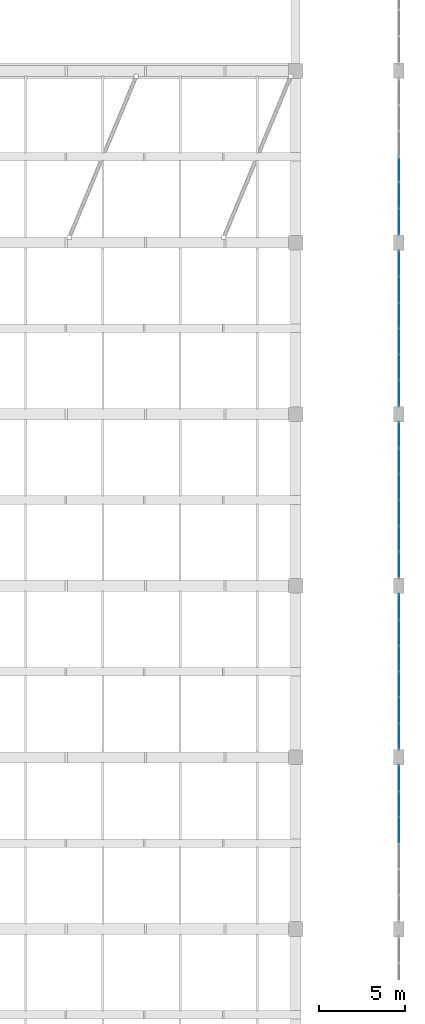
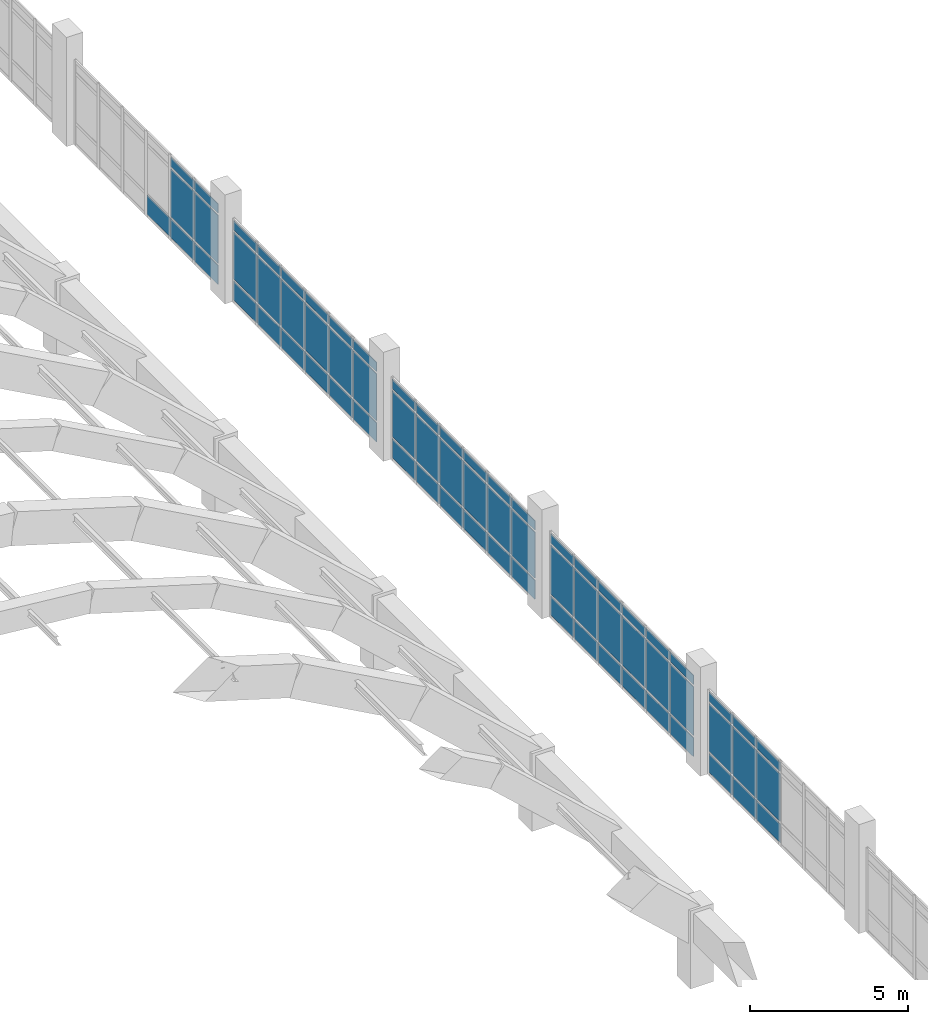
# One storey, part 99 of 111: 70 plates, 5 elements without a shape of their own.
"""IFC4 building model written with IfcOpenShell, lengths in metres."""

from ifc_helpers import new_model, si_unit, direction, frame, origin, origin_2d, place, context, subcontext, project, spatial, rectangle, extrude, material, layer, layer_set, type_object, element, aggregate, save


model = new_model("IFC4")

# Units and contexts
model_context = context("Model", 3, precision=1e-05, world=origin(), true_north=direction((0.0, 1.0)))
body_context = subcontext(model_context, "Body", "Model", "MODEL_VIEW")
ifc_project = project(units=[si_unit("LENGTHUNIT", "METRE"), si_unit("AREAUNIT", "SQUARE_METRE"), si_unit("VOLUMEUNIT", "CUBIC_METRE"), si_unit("PLANEANGLEUNIT", "RADIAN"), si_unit("MASSUNIT", "GRAM", prefix="KILO")], contexts=[model_context])

# Site, building, storey
site_placement = place(None, origin())
site = spatial("IfcSite", under=ifc_project, at=site_placement, CompositionType="ELEMENT")
building_placement = place(site_placement, origin())
building = spatial("IfcBuilding", under=site, at=building_placement, Name="Mersad Railyard Sports Hall", CompositionType="ELEMENT")
storey_placement = place(building_placement, frame((0.0, 0.0, 9.0)))
storey = spatial("IfcBuildingStorey", under=building, at=storey_placement, Name="L02", CompositionType="ELEMENT", Elevation=9.0)

# Curtain wall, plates
ifc_material_1 = material(Name="Aluminium 6063-T6", Category="aluminium")
ifc_layer_1 = layer(ifc_material_1, 0.159912109375)
ifc_layer_set_1 = layer_set([ifc_layer_1], Name="Aluminium 6063-T6")
curtain_wall_type_1 = type_object("IfcCurtainWallType", Name="ARC-CW-CW17", PredefinedType="USERDEFINED", material=ifc_layer_set_1)
curtain_wall_1_placement = place(storey_placement, origin())
curtain_wall_1 = element("IfcCurtainWall", 1, at=curtain_wall_1_placement, inside=storey, type_object=curtain_wall_type_1, Name="Curtain wall CW17-0049", ObjectType="CURTAIN WALL", PredefinedType="USERDEFINED")
ifc_material_2 = material(Name="Solar-control glass", Category="glass")
ifc_layer_2 = layer(ifc_material_2, 0.028076171875)
ifc_layer_set_2 = layer_set([ifc_layer_2], Name="Solar-control glass")
plate_type = type_object("IfcPlateType", Name="ARC-CW-PNL01", PredefinedType="CURTAIN_PANEL", material=ifc_layer_set_2)
plate_1_placement = place(storey_placement, frame((179.0, 32.27490234375, 0.0849609375), z_axis=(0.0, 0.0, 1.0), x_axis=(0.0, -1.0, 0.0)))
plate_1 = element("IfcPlate", 2, at=plate_1_placement, type_object=plate_type, Name="CW17 Glazed panel 1-1", PredefinedType="CURTAIN_PANEL", context=body_context, shape_type="SweptSolid", body=[
    extrude(rectangle(XDim=1.466064453125, YDim=0.028076171875, at=origin_2d()), origin(), (0.0, 0.0, 1.0), 0.719970703125),
])
plate_2_placement = place(storey_placement, frame((179.0, 32.27490234375, 0.89501953125), z_axis=(0.0, 0.0, 1.0), x_axis=(0.0, -1.0, 0.0)))
plate_2 = element("IfcPlate", 3, at=plate_2_placement, type_object=plate_type, Name="CW17 Glazed panel 1-2", PredefinedType="CURTAIN_PANEL", context=body_context, shape_type="SweptSolid", body=[
    extrude(rectangle(XDim=1.466064453125, YDim=0.028076171875, at=origin_2d()), origin(), (0.0, 0.0, 1.0), 1.840087890625),
])
plate_3_placement = place(storey_placement, frame((179.0, 32.27490234375, 2.824951171875), z_axis=(0.0, 0.0, 1.0), x_axis=(0.0, -1.0, 0.0)))
plate_3 = element("IfcPlate", 4, at=plate_3_placement, type_object=plate_type, Name="CW17 Glazed panel 1-3", PredefinedType="CURTAIN_PANEL", context=body_context, shape_type="SweptSolid", body=[
    extrude(rectangle(XDim=1.466064453125, YDim=0.028076171875, at=origin_2d()), origin(), (0.0, 0.0, 1.0), 0.35009765625),
])
plate_4_placement = place(storey_placement, frame((179.0, 30.764892578125, 0.0849609375), z_axis=(0.0, 0.0, 1.0), x_axis=(0.0, -1.0, 0.0)))
plate_4 = element("IfcPlate", 5, at=plate_4_placement, type_object=plate_type, Name="CW17 Glazed panel 2-1", PredefinedType="CURTAIN_PANEL", context=body_context, shape_type="SweptSolid", body=[
    extrude(rectangle(XDim=1.466064453125, YDim=0.028076171875, at=origin_2d()), origin(), (0.0, 0.0, 1.0), 0.719970703125),
])
plate_5_placement = place(storey_placement, frame((179.0, 30.764892578125, 0.89501953125), z_axis=(0.0, 0.0, 1.0), x_axis=(0.0, -1.0, 0.0)))
plate_5 = element("IfcPlate", 6, at=plate_5_placement, type_object=plate_type, Name="CW17 Glazed panel 2-2", PredefinedType="CURTAIN_PANEL", context=body_context, shape_type="SweptSolid", body=[
    extrude(rectangle(XDim=1.466064453125, YDim=0.028076171875, at=origin_2d()), origin(), (0.0, 0.0, 1.0), 1.840087890625),
])
plate_6_placement = place(storey_placement, frame((179.0, 30.764892578125, 2.824951171875), z_axis=(0.0, 0.0, 1.0), x_axis=(0.0, -1.0, 0.0)))
plate_6 = element("IfcPlate", 7, at=plate_6_placement, type_object=plate_type, Name="CW17 Glazed panel 2-3", PredefinedType="CURTAIN_PANEL", context=body_context, shape_type="SweptSolid", body=[
    extrude(rectangle(XDim=1.466064453125, YDim=0.028076171875, at=origin_2d()), origin(), (0.0, 0.0, 1.0), 0.35009765625),
])
plate_7_placement = place(storey_placement, frame((179.0, 29.2548828125, 0.0849609375), z_axis=(0.0, 0.0, 1.0), x_axis=(0.0, -1.0, 0.0)))
plate_7 = element("IfcPlate", 8, at=plate_7_placement, type_object=plate_type, Name="CW17 Glazed panel 3-1", PredefinedType="CURTAIN_PANEL", context=body_context, shape_type="SweptSolid", body=[
    extrude(rectangle(XDim=1.466064453125, YDim=0.028076171875, at=origin_2d()), origin(), (0.0, 0.0, 1.0), 0.719970703125),
])
plate_8_placement = place(storey_placement, frame((179.0, 29.2548828125, 0.89501953125), z_axis=(0.0, 0.0, 1.0), x_axis=(0.0, -1.0, 0.0)))
plate_8 = element("IfcPlate", 9, at=plate_8_placement, type_object=plate_type, Name="CW17 Glazed panel 3-2", PredefinedType="CURTAIN_PANEL", context=body_context, shape_type="SweptSolid", body=[
    extrude(rectangle(XDim=1.466064453125, YDim=0.028076171875, at=origin_2d()), origin(), (0.0, 0.0, 1.0), 1.840087890625),
])
plate_9_placement = place(storey_placement, frame((179.0, 29.2548828125, 2.824951171875), z_axis=(0.0, 0.0, 1.0), x_axis=(0.0, -1.0, 0.0)))
plate_9 = element("IfcPlate", 10, at=plate_9_placement, type_object=plate_type, Name="CW17 Glazed panel 3-3", PredefinedType="CURTAIN_PANEL", context=body_context, shape_type="SweptSolid", body=[
    extrude(rectangle(XDim=1.466064453125, YDim=0.028076171875, at=origin_2d()), origin(), (0.0, 0.0, 1.0), 0.35009765625),
])
aggregate(curtain_wall_1, [plate_1, plate_2, plate_3, plate_4, plate_5, plate_6, plate_7, plate_8, plate_9])

ifc_layer_3 = layer(ifc_material_1, 0.159912109375)
ifc_layer_set_3 = layer_set([ifc_layer_3], Name="Aluminium 6063-T6")
curtain_wall_type_2 = type_object("IfcCurtainWallType", Name="ARC-CW-CW18", PredefinedType="USERDEFINED", material=ifc_layer_set_3)
curtain_wall_2_placement = place(storey_placement, origin())
curtain_wall_2 = element("IfcCurtainWall", 11, at=curtain_wall_2_placement, inside=storey, type_object=curtain_wall_type_2, Name="Curtain wall CW18-0051", ObjectType="CURTAIN WALL", PredefinedType="USERDEFINED")
plate_10_placement = place(storey_placement, frame((179.0, 42.27490234375, 0.0849609375), z_axis=(0.0, 0.0, 1.0), x_axis=(0.0, -1.0, 0.0)))
plate_10 = element("IfcPlate", 12, at=plate_10_placement, type_object=plate_type, Name="CW18 Glazed panel 1-1", PredefinedType="CURTAIN_PANEL", context=body_context, shape_type="SweptSolid", body=[
    extrude(rectangle(XDim=1.466064453125, YDim=0.028076171875, at=origin_2d()), origin(), (0.0, 0.0, 1.0), 0.719970703125),
])
plate_11_placement = place(storey_placement, frame((179.0, 42.27490234375, 0.89501953125), z_axis=(0.0, 0.0, 1.0), x_axis=(0.0, -1.0, 0.0)))
plate_11 = element("IfcPlate", 13, at=plate_11_placement, type_object=plate_type, Name="CW18 Glazed panel 1-2", PredefinedType="CURTAIN_PANEL", context=body_context, shape_type="SweptSolid", body=[
    extrude(rectangle(XDim=1.466064453125, YDim=0.028076171875, at=origin_2d()), origin(), (0.0, 0.0, 1.0), 1.8798828125),
])
plate_12_placement = place(storey_placement, frame((179.0, 42.27490234375, 2.864990234375), z_axis=(0.0, 0.0, 1.0), x_axis=(0.0, -1.0, 0.0)))
plate_12 = element("IfcPlate", 14, at=plate_12_placement, type_object=plate_type, Name="CW18 Glazed panel 1-3", PredefinedType="CURTAIN_PANEL", context=body_context, shape_type="SweptSolid", body=[
    extrude(rectangle(XDim=1.466064453125, YDim=0.028076171875, at=origin_2d()), origin(), (0.0, 0.0, 1.0), 0.35009765625),
])
plate_13_placement = place(storey_placement, frame((179.0, 40.764892578125, 0.0849609375), z_axis=(0.0, 0.0, 1.0), x_axis=(0.0, -1.0, 0.0)))
plate_13 = element("IfcPlate", 15, at=plate_13_placement, type_object=plate_type, Name="CW18 Glazed panel 2-1", PredefinedType="CURTAIN_PANEL", context=body_context, shape_type="SweptSolid", body=[
    extrude(rectangle(XDim=1.466064453125, YDim=0.028076171875, at=origin_2d()), origin(), (0.0, 0.0, 1.0), 0.719970703125),
])
plate_14_placement = place(storey_placement, frame((179.0, 40.764892578125, 0.89501953125), z_axis=(0.0, 0.0, 1.0), x_axis=(0.0, -1.0, 0.0)))
plate_14 = element("IfcPlate", 16, at=plate_14_placement, type_object=plate_type, Name="CW18 Glazed panel 2-2", PredefinedType="CURTAIN_PANEL", context=body_context, shape_type="SweptSolid", body=[
    extrude(rectangle(XDim=1.466064453125, YDim=0.028076171875, at=origin_2d()), origin(), (0.0, 0.0, 1.0), 1.8798828125),
])
plate_15_placement = place(storey_placement, frame((179.0, 40.764892578125, 2.864990234375), z_axis=(0.0, 0.0, 1.0), x_axis=(0.0, -1.0, 0.0)))
plate_15 = element("IfcPlate", 17, at=plate_15_placement, type_object=plate_type, Name="CW18 Glazed panel 2-3", PredefinedType="CURTAIN_PANEL", context=body_context, shape_type="SweptSolid", body=[
    extrude(rectangle(XDim=1.466064453125, YDim=0.028076171875, at=origin_2d()), origin(), (0.0, 0.0, 1.0), 0.35009765625),
])
plate_16_placement = place(storey_placement, frame((179.0, 39.2548828125, 0.0849609375), z_axis=(0.0, 0.0, 1.0), x_axis=(0.0, -1.0, 0.0)))
plate_16 = element("IfcPlate", 18, at=plate_16_placement, type_object=plate_type, Name="CW18 Glazed panel 3-1", PredefinedType="CURTAIN_PANEL", context=body_context, shape_type="SweptSolid", body=[
    extrude(rectangle(XDim=1.466064453125, YDim=0.028076171875, at=origin_2d()), origin(), (0.0, 0.0, 1.0), 0.719970703125),
])
plate_17_placement = place(storey_placement, frame((179.0, 39.2548828125, 0.89501953125), z_axis=(0.0, 0.0, 1.0), x_axis=(0.0, -1.0, 0.0)))
plate_17 = element("IfcPlate", 19, at=plate_17_placement, type_object=plate_type, Name="CW18 Glazed panel 3-2", PredefinedType="CURTAIN_PANEL", context=body_context, shape_type="SweptSolid", body=[
    extrude(rectangle(XDim=1.466064453125, YDim=0.028076171875, at=origin_2d()), origin(), (0.0, 0.0, 1.0), 1.8798828125),
])
plate_18_placement = place(storey_placement, frame((179.0, 39.2548828125, 2.864990234375), z_axis=(0.0, 0.0, 1.0), x_axis=(0.0, -1.0, 0.0)))
plate_18 = element("IfcPlate", 20, at=plate_18_placement, type_object=plate_type, Name="CW18 Glazed panel 3-3", PredefinedType="CURTAIN_PANEL", context=body_context, shape_type="SweptSolid", body=[
    extrude(rectangle(XDim=1.466064453125, YDim=0.028076171875, at=origin_2d()), origin(), (0.0, 0.0, 1.0), 0.35009765625),
])
plate_19_placement = place(storey_placement, frame((179.0, 37.7451171875, 0.0849609375), z_axis=(0.0, 0.0, 1.0), x_axis=(0.0, -1.0, 0.0)))
plate_19 = element("IfcPlate", 21, at=plate_19_placement, type_object=plate_type, Name="CW18 Glazed panel 4-1", PredefinedType="CURTAIN_PANEL", context=body_context, shape_type="SweptSolid", body=[
    extrude(rectangle(XDim=1.466064453125, YDim=0.028076171875, at=origin_2d()), origin(), (0.0, 0.0, 1.0), 0.719970703125),
])
plate_20_placement = place(storey_placement, frame((179.0, 37.7451171875, 0.89501953125), z_axis=(0.0, 0.0, 1.0), x_axis=(0.0, -1.0, 0.0)))
plate_20 = element("IfcPlate", 22, at=plate_20_placement, type_object=plate_type, Name="CW18 Glazed panel 4-2", PredefinedType="CURTAIN_PANEL", context=body_context, shape_type="SweptSolid", body=[
    extrude(rectangle(XDim=1.466064453125, YDim=0.028076171875, at=origin_2d()), origin(), (0.0, 0.0, 1.0), 1.8798828125),
])
plate_21_placement = place(storey_placement, frame((179.0, 37.7451171875, 2.864990234375), z_axis=(0.0, 0.0, 1.0), x_axis=(0.0, -1.0, 0.0)))
plate_21 = element("IfcPlate", 23, at=plate_21_placement, type_object=plate_type, Name="CW18 Glazed panel 4-3", PredefinedType="CURTAIN_PANEL", context=body_context, shape_type="SweptSolid", body=[
    extrude(rectangle(XDim=1.466064453125, YDim=0.028076171875, at=origin_2d()), origin(), (0.0, 0.0, 1.0), 0.35009765625),
])
plate_22_placement = place(storey_placement, frame((179.0, 36.235107421875, 0.0849609375), z_axis=(0.0, 0.0, 1.0), x_axis=(0.0, -1.0, 0.0)))
plate_22 = element("IfcPlate", 24, at=plate_22_placement, type_object=plate_type, Name="CW18 Glazed panel 5-1", PredefinedType="CURTAIN_PANEL", context=body_context, shape_type="SweptSolid", body=[
    extrude(rectangle(XDim=1.466064453125, YDim=0.028076171875, at=origin_2d()), origin(), (0.0, 0.0, 1.0), 0.719970703125),
])
plate_23_placement = place(storey_placement, frame((179.0, 36.235107421875, 0.89501953125), z_axis=(0.0, 0.0, 1.0), x_axis=(0.0, -1.0, 0.0)))
plate_23 = element("IfcPlate", 25, at=plate_23_placement, type_object=plate_type, Name="CW18 Glazed panel 5-2", PredefinedType="CURTAIN_PANEL", context=body_context, shape_type="SweptSolid", body=[
    extrude(rectangle(XDim=1.466064453125, YDim=0.028076171875, at=origin_2d()), origin(), (0.0, 0.0, 1.0), 1.8798828125),
])
plate_24_placement = place(storey_placement, frame((179.0, 36.235107421875, 2.864990234375), z_axis=(0.0, 0.0, 1.0), x_axis=(0.0, -1.0, 0.0)))
plate_24 = element("IfcPlate", 26, at=plate_24_placement, type_object=plate_type, Name="CW18 Glazed panel 5-3", PredefinedType="CURTAIN_PANEL", context=body_context, shape_type="SweptSolid", body=[
    extrude(rectangle(XDim=1.466064453125, YDim=0.028076171875, at=origin_2d()), origin(), (0.0, 0.0, 1.0), 0.35009765625),
])
plate_25_placement = place(storey_placement, frame((179.0, 34.72509765625, 0.0849609375), z_axis=(0.0, 0.0, 1.0), x_axis=(0.0, -1.0, 0.0)))
plate_25 = element("IfcPlate", 27, at=plate_25_placement, type_object=plate_type, Name="CW18 Glazed panel 6-1", PredefinedType="CURTAIN_PANEL", context=body_context, shape_type="SweptSolid", body=[
    extrude(rectangle(XDim=1.466064453125, YDim=0.028076171875, at=origin_2d()), origin(), (0.0, 0.0, 1.0), 0.719970703125),
])
plate_26_placement = place(storey_placement, frame((179.0, 34.72509765625, 0.89501953125), z_axis=(0.0, 0.0, 1.0), x_axis=(0.0, -1.0, 0.0)))
plate_26 = element("IfcPlate", 28, at=plate_26_placement, type_object=plate_type, Name="CW18 Glazed panel 6-2", PredefinedType="CURTAIN_PANEL", context=body_context, shape_type="SweptSolid", body=[
    extrude(rectangle(XDim=1.466064453125, YDim=0.028076171875, at=origin_2d()), origin(), (0.0, 0.0, 1.0), 1.8798828125),
])
plate_27_placement = place(storey_placement, frame((179.0, 34.72509765625, 2.864990234375), z_axis=(0.0, 0.0, 1.0), x_axis=(0.0, -1.0, 0.0)))
plate_27 = element("IfcPlate", 29, at=plate_27_placement, type_object=plate_type, Name="CW18 Glazed panel 6-3", PredefinedType="CURTAIN_PANEL", context=body_context, shape_type="SweptSolid", body=[
    extrude(rectangle(XDim=1.466064453125, YDim=0.028076171875, at=origin_2d()), origin(), (0.0, 0.0, 1.0), 0.35009765625),
])
aggregate(curtain_wall_2, [plate_10, plate_11, plate_12, plate_13, plate_14, plate_15, plate_16, plate_17, plate_18, plate_19, plate_20, plate_21, plate_22, plate_23, plate_24, plate_25, plate_26, plate_27])

ifc_layer_4 = layer(ifc_material_1, 0.159912109375)
ifc_layer_set_4 = layer_set([ifc_layer_4], Name="Aluminium 6063-T6")
curtain_wall_type_3 = type_object("IfcCurtainWallType", Name="ARC-CW-CW15", PredefinedType="USERDEFINED", material=ifc_layer_set_4)
curtain_wall_3_placement = place(storey_placement, origin())
curtain_wall_3 = element("IfcCurtainWall", 30, at=curtain_wall_3_placement, inside=storey, type_object=curtain_wall_type_3, Name="Curtain wall CW15-0053", ObjectType="CURTAIN WALL", PredefinedType="USERDEFINED")
plate_28_placement = place(storey_placement, frame((179.0, 52.27490234375, 0.0849609375), z_axis=(0.0, 0.0, 1.0), x_axis=(0.0, -1.0, 0.0)))
plate_28 = element("IfcPlate", 31, at=plate_28_placement, type_object=plate_type, Name="CW15 Glazed panel 1-1", PredefinedType="CURTAIN_PANEL", context=body_context, shape_type="SweptSolid", body=[
    extrude(rectangle(XDim=1.466064453125, YDim=0.028076171875, at=origin_2d()), origin(), (0.0, 0.0, 1.0), 0.719970703125),
])
plate_29_placement = place(storey_placement, frame((179.0, 52.27490234375, 0.89501953125), z_axis=(0.0, 0.0, 1.0), x_axis=(0.0, -1.0, 0.0)))
plate_29 = element("IfcPlate", 32, at=plate_29_placement, type_object=plate_type, Name="CW15 Glazed panel 1-2", PredefinedType="CURTAIN_PANEL", context=body_context, shape_type="SweptSolid", body=[
    extrude(rectangle(XDim=1.466064453125, YDim=0.028076171875, at=origin_2d()), origin(), (0.0, 0.0, 1.0), 1.760009765625),
])
plate_30_placement = place(storey_placement, frame((179.0, 52.27490234375, 2.744873046875), z_axis=(0.0, 0.0, 1.0), x_axis=(0.0, -1.0, 0.0)))
plate_30 = element("IfcPlate", 33, at=plate_30_placement, type_object=plate_type, Name="CW15 Glazed panel 1-3", PredefinedType="CURTAIN_PANEL", context=body_context, shape_type="SweptSolid", body=[
    extrude(rectangle(XDim=1.466064453125, YDim=0.028076171875, at=origin_2d()), origin(), (0.0, 0.0, 1.0), 0.35009765625),
])
plate_31_placement = place(storey_placement, frame((179.0, 50.764892578125, 0.0849609375), z_axis=(0.0, 0.0, 1.0), x_axis=(0.0, -1.0, 0.0)))
plate_31 = element("IfcPlate", 34, at=plate_31_placement, type_object=plate_type, Name="CW15 Glazed panel 2-1", PredefinedType="CURTAIN_PANEL", context=body_context, shape_type="SweptSolid", body=[
    extrude(rectangle(XDim=1.466064453125, YDim=0.028076171875, at=origin_2d()), origin(), (0.0, 0.0, 1.0), 0.719970703125),
])
plate_32_placement = place(storey_placement, frame((179.0, 50.764892578125, 0.89501953125), z_axis=(0.0, 0.0, 1.0), x_axis=(0.0, -1.0, 0.0)))
plate_32 = element("IfcPlate", 35, at=plate_32_placement, type_object=plate_type, Name="CW15 Glazed panel 2-2", PredefinedType="CURTAIN_PANEL", context=body_context, shape_type="SweptSolid", body=[
    extrude(rectangle(XDim=1.466064453125, YDim=0.028076171875, at=origin_2d()), origin(), (0.0, 0.0, 1.0), 1.760009765625),
])
plate_33_placement = place(storey_placement, frame((179.0, 50.764892578125, 2.744873046875), z_axis=(0.0, 0.0, 1.0), x_axis=(0.0, -1.0, 0.0)))
plate_33 = element("IfcPlate", 36, at=plate_33_placement, type_object=plate_type, Name="CW15 Glazed panel 2-3", PredefinedType="CURTAIN_PANEL", context=body_context, shape_type="SweptSolid", body=[
    extrude(rectangle(XDim=1.466064453125, YDim=0.028076171875, at=origin_2d()), origin(), (0.0, 0.0, 1.0), 0.35009765625),
])
plate_34_placement = place(storey_placement, frame((179.0, 49.2548828125, 0.0849609375), z_axis=(0.0, 0.0, 1.0), x_axis=(0.0, -1.0, 0.0)))
plate_34 = element("IfcPlate", 37, at=plate_34_placement, type_object=plate_type, Name="CW15 Glazed panel 3-1", PredefinedType="CURTAIN_PANEL", context=body_context, shape_type="SweptSolid", body=[
    extrude(rectangle(XDim=1.466064453125, YDim=0.028076171875, at=origin_2d()), origin(), (0.0, 0.0, 1.0), 0.719970703125),
])
plate_35_placement = place(storey_placement, frame((179.0, 49.2548828125, 0.89501953125), z_axis=(0.0, 0.0, 1.0), x_axis=(0.0, -1.0, 0.0)))
plate_35 = element("IfcPlate", 38, at=plate_35_placement, type_object=plate_type, Name="CW15 Glazed panel 3-2", PredefinedType="CURTAIN_PANEL", context=body_context, shape_type="SweptSolid", body=[
    extrude(rectangle(XDim=1.466064453125, YDim=0.028076171875, at=origin_2d()), origin(), (0.0, 0.0, 1.0), 1.760009765625),
])
plate_36_placement = place(storey_placement, frame((179.0, 49.2548828125, 2.744873046875), z_axis=(0.0, 0.0, 1.0), x_axis=(0.0, -1.0, 0.0)))
plate_36 = element("IfcPlate", 39, at=plate_36_placement, type_object=plate_type, Name="CW15 Glazed panel 3-3", PredefinedType="CURTAIN_PANEL", context=body_context, shape_type="SweptSolid", body=[
    extrude(rectangle(XDim=1.466064453125, YDim=0.028076171875, at=origin_2d()), origin(), (0.0, 0.0, 1.0), 0.35009765625),
])
plate_37_placement = place(storey_placement, frame((179.0, 47.7451171875, 0.0849609375), z_axis=(0.0, 0.0, 1.0), x_axis=(0.0, -1.0, 0.0)))
plate_37 = element("IfcPlate", 40, at=plate_37_placement, type_object=plate_type, Name="CW15 Glazed panel 4-1", PredefinedType="CURTAIN_PANEL", context=body_context, shape_type="SweptSolid", body=[
    extrude(rectangle(XDim=1.466064453125, YDim=0.028076171875, at=origin_2d()), origin(), (0.0, 0.0, 1.0), 0.719970703125),
])
plate_38_placement = place(storey_placement, frame((179.0, 47.7451171875, 0.89501953125), z_axis=(0.0, 0.0, 1.0), x_axis=(0.0, -1.0, 0.0)))
plate_38 = element("IfcPlate", 41, at=plate_38_placement, type_object=plate_type, Name="CW15 Glazed panel 4-2", PredefinedType="CURTAIN_PANEL", context=body_context, shape_type="SweptSolid", body=[
    extrude(rectangle(XDim=1.466064453125, YDim=0.028076171875, at=origin_2d()), origin(), (0.0, 0.0, 1.0), 1.760009765625),
])
plate_39_placement = place(storey_placement, frame((179.0, 47.7451171875, 2.744873046875), z_axis=(0.0, 0.0, 1.0), x_axis=(0.0, -1.0, 0.0)))
plate_39 = element("IfcPlate", 42, at=plate_39_placement, type_object=plate_type, Name="CW15 Glazed panel 4-3", PredefinedType="CURTAIN_PANEL", context=body_context, shape_type="SweptSolid", body=[
    extrude(rectangle(XDim=1.466064453125, YDim=0.028076171875, at=origin_2d()), origin(), (0.0, 0.0, 1.0), 0.35009765625),
])
plate_40_placement = place(storey_placement, frame((179.0, 46.235107421875, 0.0849609375), z_axis=(0.0, 0.0, 1.0), x_axis=(0.0, -1.0, 0.0)))
plate_40 = element("IfcPlate", 43, at=plate_40_placement, type_object=plate_type, Name="CW15 Glazed panel 5-1", PredefinedType="CURTAIN_PANEL", context=body_context, shape_type="SweptSolid", body=[
    extrude(rectangle(XDim=1.466064453125, YDim=0.028076171875, at=origin_2d()), origin(), (0.0, 0.0, 1.0), 0.719970703125),
])
plate_41_placement = place(storey_placement, frame((179.0, 46.235107421875, 0.89501953125), z_axis=(0.0, 0.0, 1.0), x_axis=(0.0, -1.0, 0.0)))
plate_41 = element("IfcPlate", 44, at=plate_41_placement, type_object=plate_type, Name="CW15 Glazed panel 5-2", PredefinedType="CURTAIN_PANEL", context=body_context, shape_type="SweptSolid", body=[
    extrude(rectangle(XDim=1.466064453125, YDim=0.028076171875, at=origin_2d()), origin(), (0.0, 0.0, 1.0), 1.760009765625),
])
plate_42_placement = place(storey_placement, frame((179.0, 46.235107421875, 2.744873046875), z_axis=(0.0, 0.0, 1.0), x_axis=(0.0, -1.0, 0.0)))
plate_42 = element("IfcPlate", 45, at=plate_42_placement, type_object=plate_type, Name="CW15 Glazed panel 5-3", PredefinedType="CURTAIN_PANEL", context=body_context, shape_type="SweptSolid", body=[
    extrude(rectangle(XDim=1.466064453125, YDim=0.028076171875, at=origin_2d()), origin(), (0.0, 0.0, 1.0), 0.35009765625),
])
plate_43_placement = place(storey_placement, frame((179.0, 44.72509765625, 0.0849609375), z_axis=(0.0, 0.0, 1.0), x_axis=(0.0, -1.0, 0.0)))
plate_43 = element("IfcPlate", 46, at=plate_43_placement, type_object=plate_type, Name="CW15 Glazed panel 6-1", PredefinedType="CURTAIN_PANEL", context=body_context, shape_type="SweptSolid", body=[
    extrude(rectangle(XDim=1.466064453125, YDim=0.028076171875, at=origin_2d()), origin(), (0.0, 0.0, 1.0), 0.719970703125),
])
plate_44_placement = place(storey_placement, frame((179.0, 44.72509765625, 0.89501953125), z_axis=(0.0, 0.0, 1.0), x_axis=(0.0, -1.0, 0.0)))
plate_44 = element("IfcPlate", 47, at=plate_44_placement, type_object=plate_type, Name="CW15 Glazed panel 6-2", PredefinedType="CURTAIN_PANEL", context=body_context, shape_type="SweptSolid", body=[
    extrude(rectangle(XDim=1.466064453125, YDim=0.028076171875, at=origin_2d()), origin(), (0.0, 0.0, 1.0), 1.760009765625),
])
plate_45_placement = place(storey_placement, frame((179.0, 44.72509765625, 2.744873046875), z_axis=(0.0, 0.0, 1.0), x_axis=(0.0, -1.0, 0.0)))
plate_45 = element("IfcPlate", 48, at=plate_45_placement, type_object=plate_type, Name="CW15 Glazed panel 6-3", PredefinedType="CURTAIN_PANEL", context=body_context, shape_type="SweptSolid", body=[
    extrude(rectangle(XDim=1.466064453125, YDim=0.028076171875, at=origin_2d()), origin(), (0.0, 0.0, 1.0), 0.35009765625),
])
aggregate(curtain_wall_3, [plate_28, plate_29, plate_30, plate_31, plate_32, plate_33, plate_34, plate_35, plate_36, plate_37, plate_38, plate_39, plate_40, plate_41, plate_42, plate_43, plate_44, plate_45])

ifc_layer_5 = layer(ifc_material_1, 0.159912109375)
ifc_layer_set_5 = layer_set([ifc_layer_5], Name="Aluminium 6063-T6")
curtain_wall_type_4 = type_object("IfcCurtainWallType", Name="ARC-CW-CW16", PredefinedType="USERDEFINED", material=ifc_layer_set_5)
curtain_wall_4_placement = place(storey_placement, origin())
curtain_wall_4 = element("IfcCurtainWall", 49, at=curtain_wall_4_placement, inside=storey, type_object=curtain_wall_type_4, Name="Curtain wall CW16-0055", ObjectType="CURTAIN WALL", PredefinedType="USERDEFINED")
plate_46_placement = place(storey_placement, frame((179.0, 62.27490234375, 0.0849609375), z_axis=(0.0, 0.0, 1.0), x_axis=(0.0, -1.0, 0.0)))
plate_46 = element("IfcPlate", 50, at=plate_46_placement, type_object=plate_type, Name="CW16 Glazed panel 1-1", PredefinedType="CURTAIN_PANEL", context=body_context, shape_type="SweptSolid", body=[
    extrude(rectangle(XDim=1.466064453125, YDim=0.028076171875, at=origin_2d()), origin(), (0.0, 0.0, 1.0), 0.719970703125),
])
plate_47_placement = place(storey_placement, frame((179.0, 62.27490234375, 0.89501953125), z_axis=(0.0, 0.0, 1.0), x_axis=(0.0, -1.0, 0.0)))
plate_47 = element("IfcPlate", 51, at=plate_47_placement, type_object=plate_type, Name="CW16 Glazed panel 1-2", PredefinedType="CURTAIN_PANEL", context=body_context, shape_type="SweptSolid", body=[
    extrude(rectangle(XDim=1.466064453125, YDim=0.028076171875, at=origin_2d()), origin(), (0.0, 0.0, 1.0), 1.800048828125),
])
plate_48_placement = place(storey_placement, frame((179.0, 62.27490234375, 2.784912109375), z_axis=(0.0, 0.0, 1.0), x_axis=(0.0, -1.0, 0.0)))
plate_48 = element("IfcPlate", 52, at=plate_48_placement, type_object=plate_type, Name="CW16 Glazed panel 1-3", PredefinedType="CURTAIN_PANEL", context=body_context, shape_type="SweptSolid", body=[
    extrude(rectangle(XDim=1.466064453125, YDim=0.028076171875, at=origin_2d()), origin(), (0.0, 0.0, 1.0), 0.35009765625),
])
plate_49_placement = place(storey_placement, frame((179.0, 60.764892578125, 0.0849609375), z_axis=(0.0, 0.0, 1.0), x_axis=(0.0, -1.0, 0.0)))
plate_49 = element("IfcPlate", 53, at=plate_49_placement, type_object=plate_type, Name="CW16 Glazed panel 2-1", PredefinedType="CURTAIN_PANEL", context=body_context, shape_type="SweptSolid", body=[
    extrude(rectangle(XDim=1.466064453125, YDim=0.028076171875, at=origin_2d()), origin(), (0.0, 0.0, 1.0), 0.719970703125),
])
plate_50_placement = place(storey_placement, frame((179.0, 60.764892578125, 0.89501953125), z_axis=(0.0, 0.0, 1.0), x_axis=(0.0, -1.0, 0.0)))
plate_50 = element("IfcPlate", 54, at=plate_50_placement, type_object=plate_type, Name="CW16 Glazed panel 2-2", PredefinedType="CURTAIN_PANEL", context=body_context, shape_type="SweptSolid", body=[
    extrude(rectangle(XDim=1.466064453125, YDim=0.028076171875, at=origin_2d()), origin(), (0.0, 0.0, 1.0), 1.800048828125),
])
plate_51_placement = place(storey_placement, frame((179.0, 60.764892578125, 2.784912109375), z_axis=(0.0, 0.0, 1.0), x_axis=(0.0, -1.0, 0.0)))
plate_51 = element("IfcPlate", 55, at=plate_51_placement, type_object=plate_type, Name="CW16 Glazed panel 2-3", PredefinedType="CURTAIN_PANEL", context=body_context, shape_type="SweptSolid", body=[
    extrude(rectangle(XDim=1.466064453125, YDim=0.028076171875, at=origin_2d()), origin(), (0.0, 0.0, 1.0), 0.35009765625),
])
plate_52_placement = place(storey_placement, frame((179.0, 59.2548828125, 0.0849609375), z_axis=(0.0, 0.0, 1.0), x_axis=(0.0, -1.0, 0.0)))
plate_52 = element("IfcPlate", 56, at=plate_52_placement, type_object=plate_type, Name="CW16 Glazed panel 3-1", PredefinedType="CURTAIN_PANEL", context=body_context, shape_type="SweptSolid", body=[
    extrude(rectangle(XDim=1.466064453125, YDim=0.028076171875, at=origin_2d()), origin(), (0.0, 0.0, 1.0), 0.719970703125),
])
plate_53_placement = place(storey_placement, frame((179.0, 59.2548828125, 0.89501953125), z_axis=(0.0, 0.0, 1.0), x_axis=(0.0, -1.0, 0.0)))
plate_53 = element("IfcPlate", 57, at=plate_53_placement, type_object=plate_type, Name="CW16 Glazed panel 3-2", PredefinedType="CURTAIN_PANEL", context=body_context, shape_type="SweptSolid", body=[
    extrude(rectangle(XDim=1.466064453125, YDim=0.028076171875, at=origin_2d()), origin(), (0.0, 0.0, 1.0), 1.800048828125),
])
plate_54_placement = place(storey_placement, frame((179.0, 59.2548828125, 2.784912109375), z_axis=(0.0, 0.0, 1.0), x_axis=(0.0, -1.0, 0.0)))
plate_54 = element("IfcPlate", 58, at=plate_54_placement, type_object=plate_type, Name="CW16 Glazed panel 3-3", PredefinedType="CURTAIN_PANEL", context=body_context, shape_type="SweptSolid", body=[
    extrude(rectangle(XDim=1.466064453125, YDim=0.028076171875, at=origin_2d()), origin(), (0.0, 0.0, 1.0), 0.35009765625),
])
plate_55_placement = place(storey_placement, frame((179.0, 57.7451171875, 0.0849609375), z_axis=(0.0, 0.0, 1.0), x_axis=(0.0, -1.0, 0.0)))
plate_55 = element("IfcPlate", 59, at=plate_55_placement, type_object=plate_type, Name="CW16 Glazed panel 4-1", PredefinedType="CURTAIN_PANEL", context=body_context, shape_type="SweptSolid", body=[
    extrude(rectangle(XDim=1.466064453125, YDim=0.028076171875, at=origin_2d()), origin(), (0.0, 0.0, 1.0), 0.719970703125),
])
plate_56_placement = place(storey_placement, frame((179.0, 57.7451171875, 0.89501953125), z_axis=(0.0, 0.0, 1.0), x_axis=(0.0, -1.0, 0.0)))
plate_56 = element("IfcPlate", 60, at=plate_56_placement, type_object=plate_type, Name="CW16 Glazed panel 4-2", PredefinedType="CURTAIN_PANEL", context=body_context, shape_type="SweptSolid", body=[
    extrude(rectangle(XDim=1.466064453125, YDim=0.028076171875, at=origin_2d()), origin(), (0.0, 0.0, 1.0), 1.800048828125),
])
plate_57_placement = place(storey_placement, frame((179.0, 57.7451171875, 2.784912109375), z_axis=(0.0, 0.0, 1.0), x_axis=(0.0, -1.0, 0.0)))
plate_57 = element("IfcPlate", 61, at=plate_57_placement, type_object=plate_type, Name="CW16 Glazed panel 4-3", PredefinedType="CURTAIN_PANEL", context=body_context, shape_type="SweptSolid", body=[
    extrude(rectangle(XDim=1.466064453125, YDim=0.028076171875, at=origin_2d()), origin(), (0.0, 0.0, 1.0), 0.35009765625),
])
plate_58_placement = place(storey_placement, frame((179.0, 56.235107421875, 0.0849609375), z_axis=(0.0, 0.0, 1.0), x_axis=(0.0, -1.0, 0.0)))
plate_58 = element("IfcPlate", 62, at=plate_58_placement, type_object=plate_type, Name="CW16 Glazed panel 5-1", PredefinedType="CURTAIN_PANEL", context=body_context, shape_type="SweptSolid", body=[
    extrude(rectangle(XDim=1.466064453125, YDim=0.028076171875, at=origin_2d()), origin(), (0.0, 0.0, 1.0), 0.719970703125),
])
plate_59_placement = place(storey_placement, frame((179.0, 56.235107421875, 0.89501953125), z_axis=(0.0, 0.0, 1.0), x_axis=(0.0, -1.0, 0.0)))
plate_59 = element("IfcPlate", 63, at=plate_59_placement, type_object=plate_type, Name="CW16 Glazed panel 5-2", PredefinedType="CURTAIN_PANEL", context=body_context, shape_type="SweptSolid", body=[
    extrude(rectangle(XDim=1.466064453125, YDim=0.028076171875, at=origin_2d()), origin(), (0.0, 0.0, 1.0), 1.800048828125),
])
plate_60_placement = place(storey_placement, frame((179.0, 56.235107421875, 2.784912109375), z_axis=(0.0, 0.0, 1.0), x_axis=(0.0, -1.0, 0.0)))
plate_60 = element("IfcPlate", 64, at=plate_60_placement, type_object=plate_type, Name="CW16 Glazed panel 5-3", PredefinedType="CURTAIN_PANEL", context=body_context, shape_type="SweptSolid", body=[
    extrude(rectangle(XDim=1.466064453125, YDim=0.028076171875, at=origin_2d()), origin(), (0.0, 0.0, 1.0), 0.35009765625),
])
plate_61_placement = place(storey_placement, frame((179.0, 54.72509765625, 0.0849609375), z_axis=(0.0, 0.0, 1.0), x_axis=(0.0, -1.0, 0.0)))
plate_61 = element("IfcPlate", 65, at=plate_61_placement, type_object=plate_type, Name="CW16 Glazed panel 6-1", PredefinedType="CURTAIN_PANEL", context=body_context, shape_type="SweptSolid", body=[
    extrude(rectangle(XDim=1.466064453125, YDim=0.028076171875, at=origin_2d()), origin(), (0.0, 0.0, 1.0), 0.719970703125),
])
plate_62_placement = place(storey_placement, frame((179.0, 54.72509765625, 0.89501953125), z_axis=(0.0, 0.0, 1.0), x_axis=(0.0, -1.0, 0.0)))
plate_62 = element("IfcPlate", 66, at=plate_62_placement, type_object=plate_type, Name="CW16 Glazed panel 6-2", PredefinedType="CURTAIN_PANEL", context=body_context, shape_type="SweptSolid", body=[
    extrude(rectangle(XDim=1.466064453125, YDim=0.028076171875, at=origin_2d()), origin(), (0.0, 0.0, 1.0), 1.800048828125),
])
plate_63_placement = place(storey_placement, frame((179.0, 54.72509765625, 2.784912109375), z_axis=(0.0, 0.0, 1.0), x_axis=(0.0, -1.0, 0.0)))
plate_63 = element("IfcPlate", 67, at=plate_63_placement, type_object=plate_type, Name="CW16 Glazed panel 6-3", PredefinedType="CURTAIN_PANEL", context=body_context, shape_type="SweptSolid", body=[
    extrude(rectangle(XDim=1.466064453125, YDim=0.028076171875, at=origin_2d()), origin(), (0.0, 0.0, 1.0), 0.35009765625),
])
aggregate(curtain_wall_4, [plate_46, plate_47, plate_48, plate_49, plate_50, plate_51, plate_52, plate_53, plate_54, plate_55, plate_56, plate_57, plate_58, plate_59, plate_60, plate_61, plate_62, plate_63])

curtain_wall_5_placement = place(storey_placement, origin())
curtain_wall_5 = element("IfcCurtainWall", 68, at=curtain_wall_5_placement, inside=storey, type_object=curtain_wall_type_1, Name="Curtain wall CW17-0057", ObjectType="CURTAIN WALL", PredefinedType="USERDEFINED")
plate_64_placement = place(storey_placement, frame((179.0, 67.7451171875, 0.0849609375), z_axis=(0.0, 0.0, 1.0), x_axis=(0.0, -1.0, 0.0)))
plate_64 = element("IfcPlate", 69, at=plate_64_placement, type_object=plate_type, Name="CW17 Glazed panel 4-1", PredefinedType="CURTAIN_PANEL", context=body_context, shape_type="SweptSolid", body=[
    extrude(rectangle(XDim=1.466064453125, YDim=0.028076171875, at=origin_2d()), origin(), (0.0, 0.0, 1.0), 0.719970703125),
])
plate_65_placement = place(storey_placement, frame((179.0, 66.235107421875, 0.0849609375), z_axis=(0.0, 0.0, 1.0), x_axis=(0.0, -1.0, 0.0)))
plate_65 = element("IfcPlate", 70, at=plate_65_placement, type_object=plate_type, Name="CW17 Glazed panel 5-1", PredefinedType="CURTAIN_PANEL", context=body_context, shape_type="SweptSolid", body=[
    extrude(rectangle(XDim=1.466064453125, YDim=0.028076171875, at=origin_2d()), origin(), (0.0, 0.0, 1.0), 0.719970703125),
])
plate_66_placement = place(storey_placement, frame((179.0, 66.235107421875, 0.89501953125), z_axis=(0.0, 0.0, 1.0), x_axis=(0.0, -1.0, 0.0)))
plate_66 = element("IfcPlate", 71, at=plate_66_placement, type_object=plate_type, Name="CW17 Glazed panel 5-2", PredefinedType="CURTAIN_PANEL", context=body_context, shape_type="SweptSolid", body=[
    extrude(rectangle(XDim=1.466064453125, YDim=0.028076171875, at=origin_2d()), origin(), (0.0, 0.0, 1.0), 1.840087890625),
])
plate_67_placement = place(storey_placement, frame((179.0, 66.235107421875, 2.824951171875), z_axis=(0.0, 0.0, 1.0), x_axis=(0.0, -1.0, 0.0)))
plate_67 = element("IfcPlate", 72, at=plate_67_placement, type_object=plate_type, Name="CW17 Glazed panel 5-3", PredefinedType="CURTAIN_PANEL", context=body_context, shape_type="SweptSolid", body=[
    extrude(rectangle(XDim=1.466064453125, YDim=0.028076171875, at=origin_2d()), origin(), (0.0, 0.0, 1.0), 0.35009765625),
])
plate_68_placement = place(storey_placement, frame((179.0, 64.72509765625, 0.0849609375), z_axis=(0.0, 0.0, 1.0), x_axis=(0.0, -1.0, 0.0)))
plate_68 = element("IfcPlate", 73, at=plate_68_placement, type_object=plate_type, Name="CW17 Glazed panel 6-1", PredefinedType="CURTAIN_PANEL", context=body_context, shape_type="SweptSolid", body=[
    extrude(rectangle(XDim=1.466064453125, YDim=0.028076171875, at=origin_2d()), origin(), (0.0, 0.0, 1.0), 0.719970703125),
])
plate_69_placement = place(storey_placement, frame((179.0, 64.72509765625, 0.89501953125), z_axis=(0.0, 0.0, 1.0), x_axis=(0.0, -1.0, 0.0)))
plate_69 = element("IfcPlate", 74, at=plate_69_placement, type_object=plate_type, Name="CW17 Glazed panel 6-2", PredefinedType="CURTAIN_PANEL", context=body_context, shape_type="SweptSolid", body=[
    extrude(rectangle(XDim=1.466064453125, YDim=0.028076171875, at=origin_2d()), origin(), (0.0, 0.0, 1.0), 1.840087890625),
])
plate_70_placement = place(storey_placement, frame((179.0, 64.72509765625, 2.824951171875), z_axis=(0.0, 0.0, 1.0), x_axis=(0.0, -1.0, 0.0)))
plate_70 = element("IfcPlate", 75, at=plate_70_placement, type_object=plate_type, Name="CW17 Glazed panel 6-3", PredefinedType="CURTAIN_PANEL", context=body_context, shape_type="SweptSolid", body=[
    extrude(rectangle(XDim=1.466064453125, YDim=0.028076171875, at=origin_2d()), origin(), (0.0, 0.0, 1.0), 0.35009765625),
])
aggregate(curtain_wall_5, [plate_64, plate_65, plate_66, plate_67, plate_68, plate_69, plate_70])

save(model, "model.ifc")
